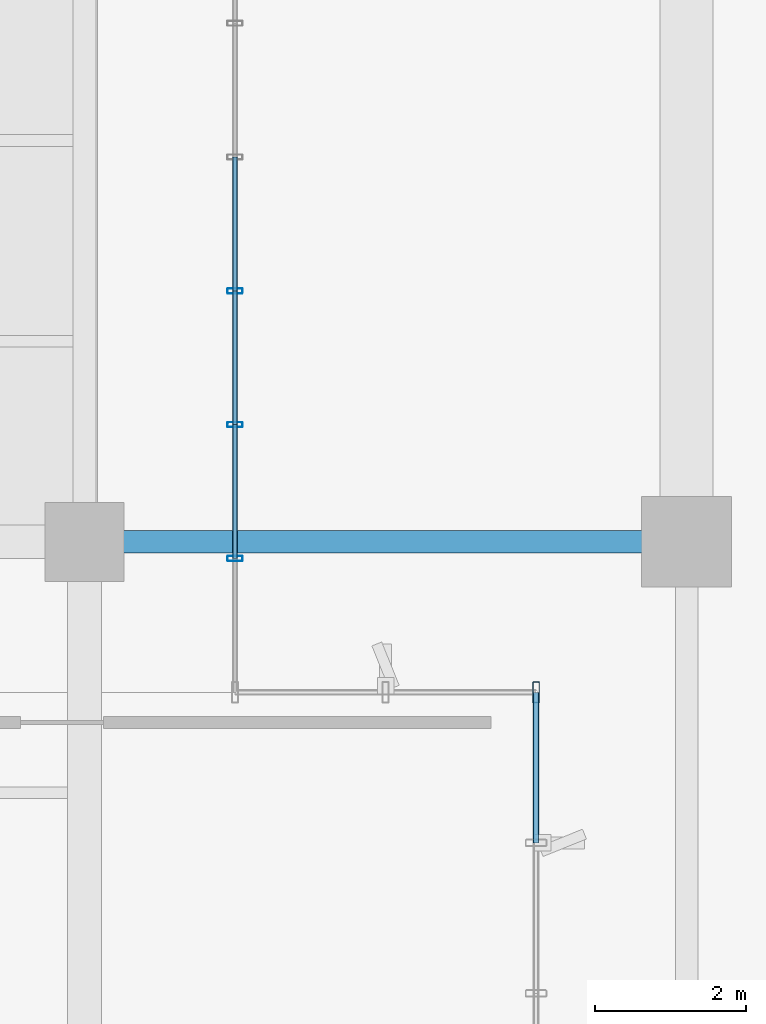
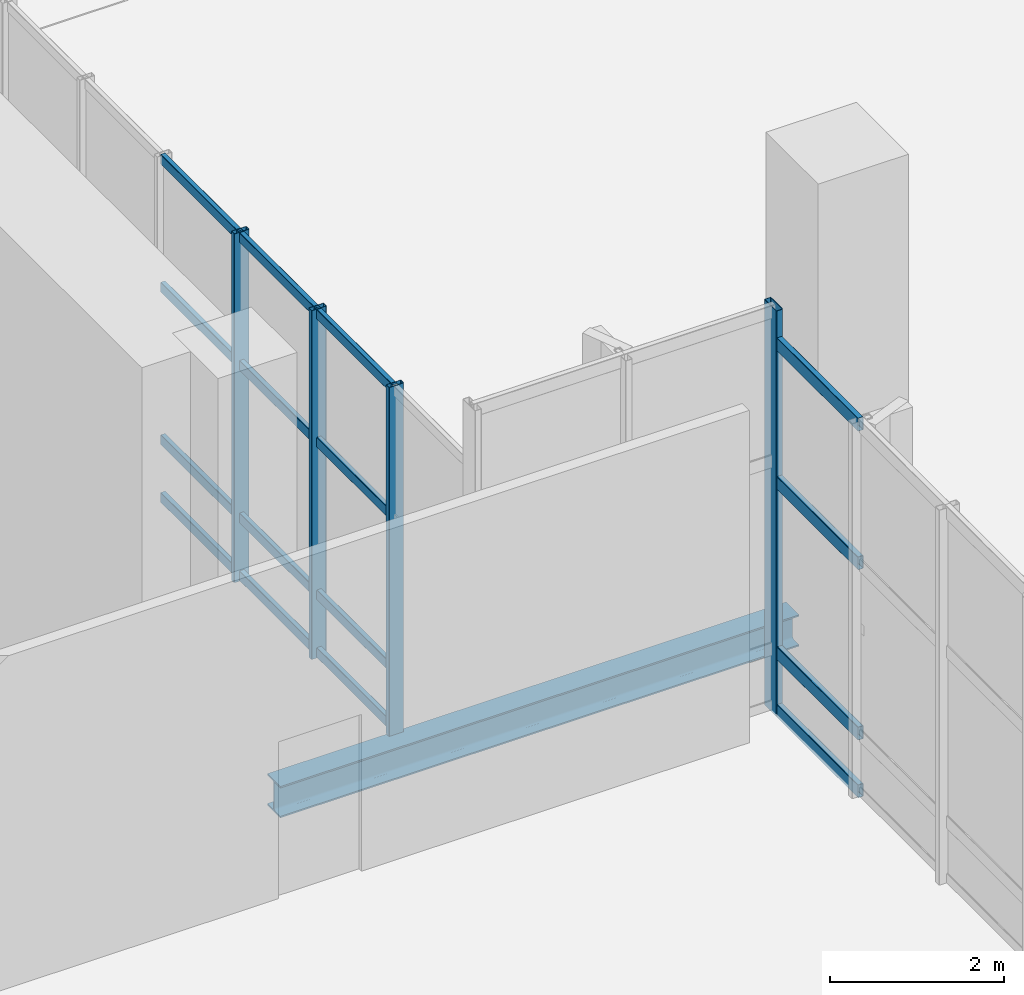
# One storey, part 97 of 163: 20 members, 1 beam, 3 elements without a shape of their own.
"""IFC4 building model written with IfcOpenShell, lengths in metres."""

from ifc_helpers import new_model, si_unit, direction, frame, origin, origin_2d, place, context, subcontext, project, spatial, hollow_rectangle, i_section, extrude, material, layer, layer_set, material_profile, profile_set, type_object, element, aggregate, save


model = new_model("IFC4")

# Units and contexts
model_context = context("Model", 3, precision=1e-05, world=origin(), true_north=direction((0.0, 1.0)))
body_context = subcontext(model_context, "Body", "Model", "MODEL_VIEW")
ifc_project = project(units=[si_unit("LENGTHUNIT", "METRE"), si_unit("AREAUNIT", "SQUARE_METRE"), si_unit("VOLUMEUNIT", "CUBIC_METRE"), si_unit("PLANEANGLEUNIT", "RADIAN"), si_unit("MASSUNIT", "GRAM", prefix="KILO")], contexts=[model_context])

# Site, building, storey
site_placement = place(None, origin())
site = spatial("IfcSite", under=ifc_project, at=site_placement, CompositionType="ELEMENT")
building_placement = place(site_placement, origin())
building = spatial("IfcBuilding", under=site, at=building_placement, Name="Khorjan Park Terminus", CompositionType="ELEMENT")
storey_placement = place(building_placement, origin())
storey = spatial("IfcBuildingStorey", under=building, at=storey_placement, Name="L00", CompositionType="ELEMENT", Elevation=0.0)

# Beam
ifc_material_1 = material(Name="Steel S355", Category="steel")
ifc_material_profile_1 = material_profile(ifc_material_1, i_section(OverallWidth=0.3, OverallDepth=0.44, WebThickness=0.0115, FlangeThickness=0.021, FilletRadius=0.027, at=origin_2d()), Name="HEA 450")
ifc_profile_set_1 = profile_set([ifc_material_profile_1], Name="Steel S355")
beam_type = type_object("IfcBeamType", Name="BM-HEA450", PredefinedType="BEAM", material=ifc_profile_set_1)
beam_placement = place(storey_placement, frame((128.52, 88.0, -0.54), z_axis=(1.0, 0.0, 0.0), x_axis=(0.0, 1.0, 0.0)))
element("IfcBeam", 1, at=beam_placement, inside=storey, type_object=beam_type, Name="Primary floor girder SB-A45 (L00)", PredefinedType="BEAM", context=body_context, shape_type="SweptSolid", body=[
    extrude(i_section(OverallWidth=0.3, OverallDepth=0.44, WebThickness=0.0115, FlangeThickness=0.021, FilletRadius=0.027, at=origin_2d()), origin(), (0.0, 0.0, 1.0), 6.885),
])

# Curtain wall, members
ifc_material_2 = material(Name="Anodized Bronze Aluminium", Category="aluminium")
ifc_layer_1 = layer(ifc_material_2, 0.22)
ifc_layer_set_1 = layer_set([ifc_layer_1], Name="Anodized Bronze Aluminium")
curtain_wall_type_1 = type_object("IfcCurtainWallType", Name="CW-BRG-D", PredefinedType="NOTDEFINED", material=ifc_layer_set_1)
curtain_wall_1_placement = place(storey_placement, origin())
curtain_wall_1 = element("IfcCurtainWall", 2, at=curtain_wall_1_placement, inside=storey, type_object=curtain_wall_type_1, Name="Unitized curtain wall CW-D (CW-NKE-E-L00)", PredefinedType="NOTDEFINED")
ifc_material_profile_2 = material_profile(ifc_material_2, hollow_rectangle(XDim=0.07, YDim=0.2, WallThickness=0.005, InnerFilletRadius=0.005, OuterFilletRadius=0.01, at=origin_2d()), Name="ALM 70x200x5")
ifc_profile_set_2 = profile_set([ifc_material_profile_2], Name="Anodized Bronze Aluminium")
member_type_1 = type_object("IfcMemberType", Name="ML-ALM-200", PredefinedType="MULLION", material=ifc_profile_set_2)
member_1_placement = place(storey_placement, frame((130.0, 87.7778, -0.035), z_axis=(0.0, 0.0, 1.0), x_axis=(0.0, 1.0, 0.0)))
member_1 = element("IfcMember", 3, at=member_1_placement, type_object=member_type_1, Name="Curtain-wall mullion ML-20 (CW-NKE-E-L00-1)", PredefinedType="MULLION", context=body_context, shape_type="SweptSolid", body=[
    extrude(hollow_rectangle(XDim=0.07, YDim=0.2, WallThickness=0.005, InnerFilletRadius=0.005, OuterFilletRadius=0.01, at=origin_2d()), origin(), (0.0, 0.0, 1.0), 4.895),
])
member_2_placement = place(storey_placement, frame((130.0, 89.5556, -0.035), z_axis=(0.0, 0.0, 1.0), x_axis=(0.0, 1.0, 0.0)))
member_2 = element("IfcMember", 4, at=member_2_placement, type_object=member_type_1, Name="Curtain-wall mullion ML-20 (CW-NKE-E-L00-2)", PredefinedType="MULLION", context=body_context, shape_type="SweptSolid", body=[
    extrude(hollow_rectangle(XDim=0.07, YDim=0.2, WallThickness=0.005, InnerFilletRadius=0.005, OuterFilletRadius=0.01, at=origin_2d()), origin(), (0.0, 0.0, 1.0), 4.895),
])
member_3_placement = place(storey_placement, frame((130.0, 91.3333, -0.035), z_axis=(0.0, 0.0, 1.0), x_axis=(0.0, 1.0, 0.0)))
member_3 = element("IfcMember", 5, at=member_3_placement, type_object=member_type_1, Name="Curtain-wall mullion ML-20 (CW-NKE-E-L00-3)", PredefinedType="MULLION", context=body_context, shape_type="SweptSolid", body=[
    extrude(hollow_rectangle(XDim=0.07, YDim=0.2, WallThickness=0.005, InnerFilletRadius=0.005, OuterFilletRadius=0.01, at=origin_2d()), origin(), (0.0, 0.0, 1.0), 4.895),
])

# Curtain wall, member
ifc_layer_2 = layer(ifc_material_2, 0.22)
ifc_layer_set_2 = layer_set([ifc_layer_2], Name="Anodized Bronze Aluminium")
curtain_wall_type_2 = type_object("IfcCurtainWallType", Name="CW-CONC-A", PredefinedType="NOTDEFINED", material=ifc_layer_set_2)
curtain_wall_2_placement = place(storey_placement, origin())
curtain_wall_2 = element("IfcCurtainWall", 6, at=curtain_wall_2_placement, inside=storey, type_object=curtain_wall_type_2, Name="Unitized curtain wall CW-A (CW-V2-N-L00-08)", PredefinedType="NOTDEFINED")
ifc_material_profile_3 = material_profile(ifc_material_2, hollow_rectangle(XDim=0.09, YDim=0.28, WallThickness=0.006, InnerFilletRadius=0.006, OuterFilletRadius=0.012, at=origin_2d()), Name="ALM 90x280x6")
ifc_profile_set_3 = profile_set([ifc_material_profile_3], Name="Anodized Bronze Aluminium")
member_type_2 = type_object("IfcMemberType", Name="ML-ALM-280", PredefinedType="MULLION", material=ifc_profile_set_3)
member_4_placement = place(storey_placement, frame((134.0, 86.0, -0.035), z_axis=(0.0, 0.0, 1.0), x_axis=(-1.0, 0.0, 0.0)))
member_4 = element("IfcMember", 7, at=member_4_placement, type_object=member_type_2, Name="Curtain-wall mullion ML-28 (CW-V2-N-L00-08-0)", PredefinedType="MULLION", context=body_context, shape_type="SweptSolid", body=[
    extrude(hollow_rectangle(XDim=0.09, YDim=0.28, WallThickness=0.006, InnerFilletRadius=0.006, OuterFilletRadius=0.012, at=origin_2d()), origin(), (0.0, 0.0, 1.0), 5.69),
])
aggregate(curtain_wall_2, [member_4])

# Member
ifc_material_profile_4 = material_profile(ifc_material_2, hollow_rectangle(XDim=0.065, YDim=0.14, WallThickness=0.004, InnerFilletRadius=0.004, OuterFilletRadius=0.008, at=origin_2d()), Name="ALT 65x140x4")
ifc_profile_set_4 = profile_set([ifc_material_profile_4], Name="Anodized Bronze Aluminium")
member_type_3 = type_object("IfcMemberType", Name="TR-ALT-140", PredefinedType="USERDEFINED", material=ifc_profile_set_4)
member_5_placement = place(storey_placement, frame((130.0, 87.7778, 0.04), z_axis=(0.0, 1.0, 0.0), x_axis=(-1.0, 0.0, 0.0)))
member_5 = element("IfcMember", 8, at=member_5_placement, type_object=member_type_3, Name="Curtain-wall transom TR-14 (CW-NKE-E-L00-1-1)", ObjectType="TRANSOM", PredefinedType="USERDEFINED", context=body_context, shape_type="SweptSolid", body=[
    extrude(hollow_rectangle(XDim=0.065, YDim=0.14, WallThickness=0.004, InnerFilletRadius=0.004, OuterFilletRadius=0.008, at=origin_2d()), origin(), (0.0, 0.0, 1.0), 1.7778),
])

member_6_placement = place(storey_placement, frame((130.0, 87.7778, 0.85), z_axis=(0.0, 1.0, 0.0), x_axis=(-1.0, 0.0, 0.0)))
member_6 = element("IfcMember", 9, at=member_6_placement, type_object=member_type_3, Name="Curtain-wall transom TR-14 (CW-NKE-E-L00-1-2)", ObjectType="TRANSOM", PredefinedType="USERDEFINED", context=body_context, shape_type="SweptSolid", body=[
    extrude(hollow_rectangle(XDim=0.065, YDim=0.14, WallThickness=0.004, InnerFilletRadius=0.004, OuterFilletRadius=0.008, at=origin_2d()), origin(), (0.0, 0.0, 1.0), 1.7778),
])

member_7_placement = place(storey_placement, frame((130.0, 87.7778, 2.9915), z_axis=(0.0, 1.0, 0.0), x_axis=(-1.0, 0.0, 0.0)))
member_7 = element("IfcMember", 10, at=member_7_placement, type_object=member_type_3, Name="Curtain-wall transom TR-14 (CW-NKE-E-L00-1-3)", ObjectType="TRANSOM", PredefinedType="USERDEFINED", context=body_context, shape_type="SweptSolid", body=[
    extrude(hollow_rectangle(XDim=0.065, YDim=0.14, WallThickness=0.004, InnerFilletRadius=0.004, OuterFilletRadius=0.008, at=origin_2d()), origin(), (0.0, 0.0, 1.0), 1.7778),
])

member_8_placement = place(storey_placement, frame((130.0, 87.7778, 4.785), z_axis=(0.0, 1.0, 0.0), x_axis=(-1.0, 0.0, 0.0)))
member_8 = element("IfcMember", 11, at=member_8_placement, type_object=member_type_3, Name="Curtain-wall transom TR-14 (CW-NKE-E-L00-1-4)", ObjectType="TRANSOM", PredefinedType="USERDEFINED", context=body_context, shape_type="SweptSolid", body=[
    extrude(hollow_rectangle(XDim=0.065, YDim=0.14, WallThickness=0.004, InnerFilletRadius=0.004, OuterFilletRadius=0.008, at=origin_2d()), origin(), (0.0, 0.0, 1.0), 1.7778),
])

member_9_placement = place(storey_placement, frame((130.0, 89.5556, 0.04), z_axis=(0.0, 1.0, 0.0), x_axis=(-1.0, 0.0, 0.0)))
member_9 = element("IfcMember", 12, at=member_9_placement, type_object=member_type_3, Name="Curtain-wall transom TR-14 (CW-NKE-E-L00-2-1)", ObjectType="TRANSOM", PredefinedType="USERDEFINED", context=body_context, shape_type="SweptSolid", body=[
    extrude(hollow_rectangle(XDim=0.065, YDim=0.14, WallThickness=0.004, InnerFilletRadius=0.004, OuterFilletRadius=0.008, at=origin_2d()), origin(), (0.0, 0.0, 1.0), 1.7777),
])

member_10_placement = place(storey_placement, frame((130.0, 89.5556, 0.85), z_axis=(0.0, 1.0, 0.0), x_axis=(-1.0, 0.0, 0.0)))
member_10 = element("IfcMember", 13, at=member_10_placement, type_object=member_type_3, Name="Curtain-wall transom TR-14 (CW-NKE-E-L00-2-2)", ObjectType="TRANSOM", PredefinedType="USERDEFINED", context=body_context, shape_type="SweptSolid", body=[
    extrude(hollow_rectangle(XDim=0.065, YDim=0.14, WallThickness=0.004, InnerFilletRadius=0.004, OuterFilletRadius=0.008, at=origin_2d()), origin(), (0.0, 0.0, 1.0), 1.7777),
])

member_11_placement = place(storey_placement, frame((130.0, 89.5556, 2.9915), z_axis=(0.0, 1.0, 0.0), x_axis=(-1.0, 0.0, 0.0)))
member_11 = element("IfcMember", 14, at=member_11_placement, type_object=member_type_3, Name="Curtain-wall transom TR-14 (CW-NKE-E-L00-2-3)", ObjectType="TRANSOM", PredefinedType="USERDEFINED", context=body_context, shape_type="SweptSolid", body=[
    extrude(hollow_rectangle(XDim=0.065, YDim=0.14, WallThickness=0.004, InnerFilletRadius=0.004, OuterFilletRadius=0.008, at=origin_2d()), origin(), (0.0, 0.0, 1.0), 1.7777),
])

member_12_placement = place(storey_placement, frame((130.0, 89.5556, 4.785), z_axis=(0.0, 1.0, 0.0), x_axis=(-1.0, 0.0, 0.0)))
member_12 = element("IfcMember", 15, at=member_12_placement, type_object=member_type_3, Name="Curtain-wall transom TR-14 (CW-NKE-E-L00-2-4)", ObjectType="TRANSOM", PredefinedType="USERDEFINED", context=body_context, shape_type="SweptSolid", body=[
    extrude(hollow_rectangle(XDim=0.065, YDim=0.14, WallThickness=0.004, InnerFilletRadius=0.004, OuterFilletRadius=0.008, at=origin_2d()), origin(), (0.0, 0.0, 1.0), 1.7777),
])

member_13_placement = place(storey_placement, frame((130.0, 91.3333, 0.04), z_axis=(0.0, 1.0, 0.0), x_axis=(-1.0, 0.0, 0.0)))
member_13 = element("IfcMember", 16, at=member_13_placement, type_object=member_type_3, Name="Curtain-wall transom TR-14 (CW-NKE-E-L00-3-1)", ObjectType="TRANSOM", PredefinedType="USERDEFINED", context=body_context, shape_type="SweptSolid", body=[
    extrude(hollow_rectangle(XDim=0.065, YDim=0.14, WallThickness=0.004, InnerFilletRadius=0.004, OuterFilletRadius=0.008, at=origin_2d()), origin(), (0.0, 0.0, 1.0), 1.7778),
])

member_14_placement = place(storey_placement, frame((130.0, 91.3333, 0.85), z_axis=(0.0, 1.0, 0.0), x_axis=(-1.0, 0.0, 0.0)))
member_14 = element("IfcMember", 17, at=member_14_placement, type_object=member_type_3, Name="Curtain-wall transom TR-14 (CW-NKE-E-L00-3-2)", ObjectType="TRANSOM", PredefinedType="USERDEFINED", context=body_context, shape_type="SweptSolid", body=[
    extrude(hollow_rectangle(XDim=0.065, YDim=0.14, WallThickness=0.004, InnerFilletRadius=0.004, OuterFilletRadius=0.008, at=origin_2d()), origin(), (0.0, 0.0, 1.0), 1.7778),
])

member_15_placement = place(storey_placement, frame((130.0, 91.3333, 2.9915), z_axis=(0.0, 1.0, 0.0), x_axis=(-1.0, 0.0, 0.0)))
member_15 = element("IfcMember", 18, at=member_15_placement, type_object=member_type_3, Name="Curtain-wall transom TR-14 (CW-NKE-E-L00-3-3)", ObjectType="TRANSOM", PredefinedType="USERDEFINED", context=body_context, shape_type="SweptSolid", body=[
    extrude(hollow_rectangle(XDim=0.065, YDim=0.14, WallThickness=0.004, InnerFilletRadius=0.004, OuterFilletRadius=0.008, at=origin_2d()), origin(), (0.0, 0.0, 1.0), 1.7778),
])

member_16_placement = place(storey_placement, frame((130.0, 91.3333, 4.785), z_axis=(0.0, 1.0, 0.0), x_axis=(-1.0, 0.0, 0.0)))
member_16 = element("IfcMember", 19, at=member_16_placement, type_object=member_type_3, Name="Curtain-wall transom TR-14 (CW-NKE-E-L00-3-4)", ObjectType="TRANSOM", PredefinedType="USERDEFINED", context=body_context, shape_type="SweptSolid", body=[
    extrude(hollow_rectangle(XDim=0.065, YDim=0.14, WallThickness=0.004, InnerFilletRadius=0.004, OuterFilletRadius=0.008, at=origin_2d()), origin(), (0.0, 0.0, 1.0), 1.7778),
])

aggregate(curtain_wall_1, [member_1, member_2, member_3, member_5, member_6, member_7, member_8, member_9, member_10, member_11, member_12, member_13, member_14, member_15, member_16])

# Curtain wall, members
curtain_wall_3_placement = place(storey_placement, origin())
curtain_wall_3 = element("IfcCurtainWall", 20, at=curtain_wall_3_placement, inside=storey, type_object=curtain_wall_type_2, Name="Unitized curtain wall CW-A (CW-V2-E-L00-04)", PredefinedType="NOTDEFINED")
ifc_material_profile_5 = material_profile(ifc_material_2, hollow_rectangle(XDim=0.075, YDim=0.185, WallThickness=0.005, InnerFilletRadius=0.005, OuterFilletRadius=0.01, at=origin_2d()), Name="ALT 75x185x5")
ifc_profile_set_5 = profile_set([ifc_material_profile_5], Name="Anodized Bronze Aluminium")
member_type_4 = type_object("IfcMemberType", Name="TR-ALT-185", PredefinedType="USERDEFINED", material=ifc_profile_set_5)
member_17_placement = place(storey_placement, frame((134.0, 84.0, 0.04), z_axis=(0.0, 1.0, 0.0), x_axis=(-1.0, 0.0, 0.0)))
member_17 = element("IfcMember", 21, at=member_17_placement, type_object=member_type_4, Name="Curtain-wall transom TR-18 (CW-V2-E-L00-04-5-1)", ObjectType="TRANSOM", PredefinedType="USERDEFINED", context=body_context, shape_type="SweptSolid", body=[
    extrude(hollow_rectangle(XDim=0.075, YDim=0.185, WallThickness=0.005, InnerFilletRadius=0.005, OuterFilletRadius=0.01, at=origin_2d()), origin(), (0.0, 0.0, 1.0), 2.0),
])
member_18_placement = place(storey_placement, frame((134.0, 84.0, 0.85), z_axis=(0.0, 1.0, 0.0), x_axis=(-1.0, 0.0, 0.0)))
member_18 = element("IfcMember", 22, at=member_18_placement, type_object=member_type_4, Name="Curtain-wall transom TR-18 (CW-V2-E-L00-04-5-2)", ObjectType="TRANSOM", PredefinedType="USERDEFINED", context=body_context, shape_type="SweptSolid", body=[
    extrude(hollow_rectangle(XDim=0.075, YDim=0.185, WallThickness=0.005, InnerFilletRadius=0.005, OuterFilletRadius=0.01, at=origin_2d()), origin(), (0.0, 0.0, 1.0), 2.0),
])
member_19_placement = place(storey_placement, frame((134.0, 84.0, 3.2395), z_axis=(0.0, 1.0, 0.0), x_axis=(-1.0, 0.0, 0.0)))
member_19 = element("IfcMember", 23, at=member_19_placement, type_object=member_type_4, Name="Curtain-wall transom TR-18 (CW-V2-E-L00-04-5-3)", ObjectType="TRANSOM", PredefinedType="USERDEFINED", context=body_context, shape_type="SweptSolid", body=[
    extrude(hollow_rectangle(XDim=0.075, YDim=0.185, WallThickness=0.005, InnerFilletRadius=0.005, OuterFilletRadius=0.01, at=origin_2d()), origin(), (0.0, 0.0, 1.0), 2.0),
])
member_20_placement = place(storey_placement, frame((134.0, 84.0, 5.185), z_axis=(0.0, 1.0, 0.0), x_axis=(-1.0, 0.0, 0.0)))
member_20 = element("IfcMember", 24, at=member_20_placement, type_object=member_type_4, Name="Curtain-wall transom TR-18 (CW-V2-E-L00-04-5-4)", ObjectType="TRANSOM", PredefinedType="USERDEFINED", context=body_context, shape_type="SweptSolid", body=[
    extrude(hollow_rectangle(XDim=0.075, YDim=0.185, WallThickness=0.005, InnerFilletRadius=0.005, OuterFilletRadius=0.01, at=origin_2d()), origin(), (0.0, 0.0, 1.0), 2.0),
])
aggregate(curtain_wall_3, [member_17, member_18, member_19, member_20])

save(model, "model.ifc")
